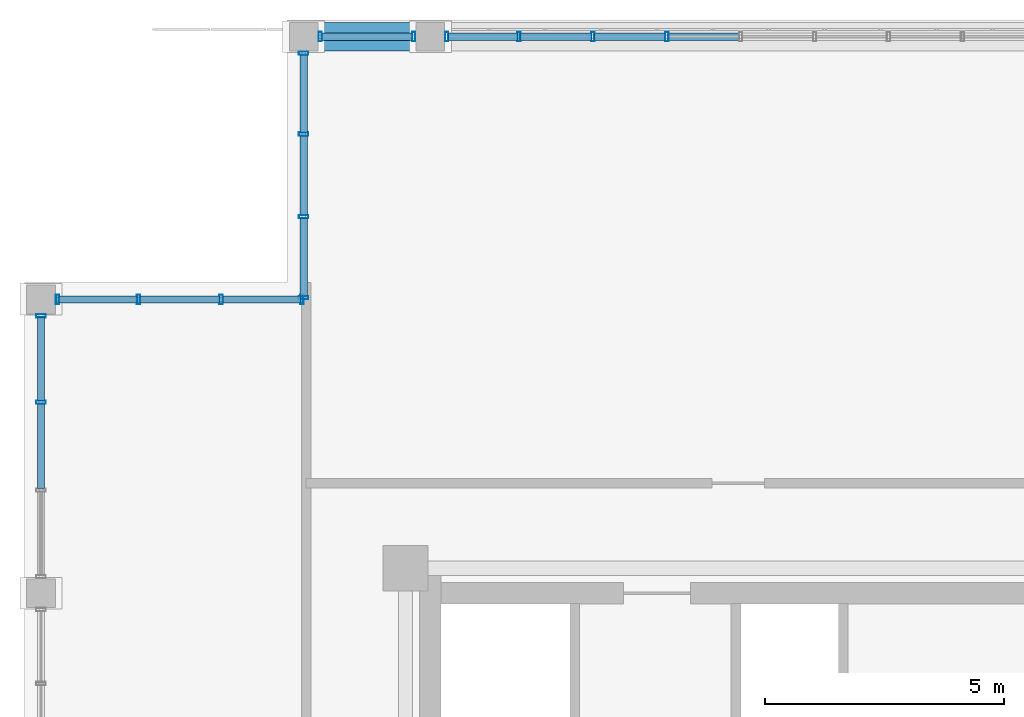
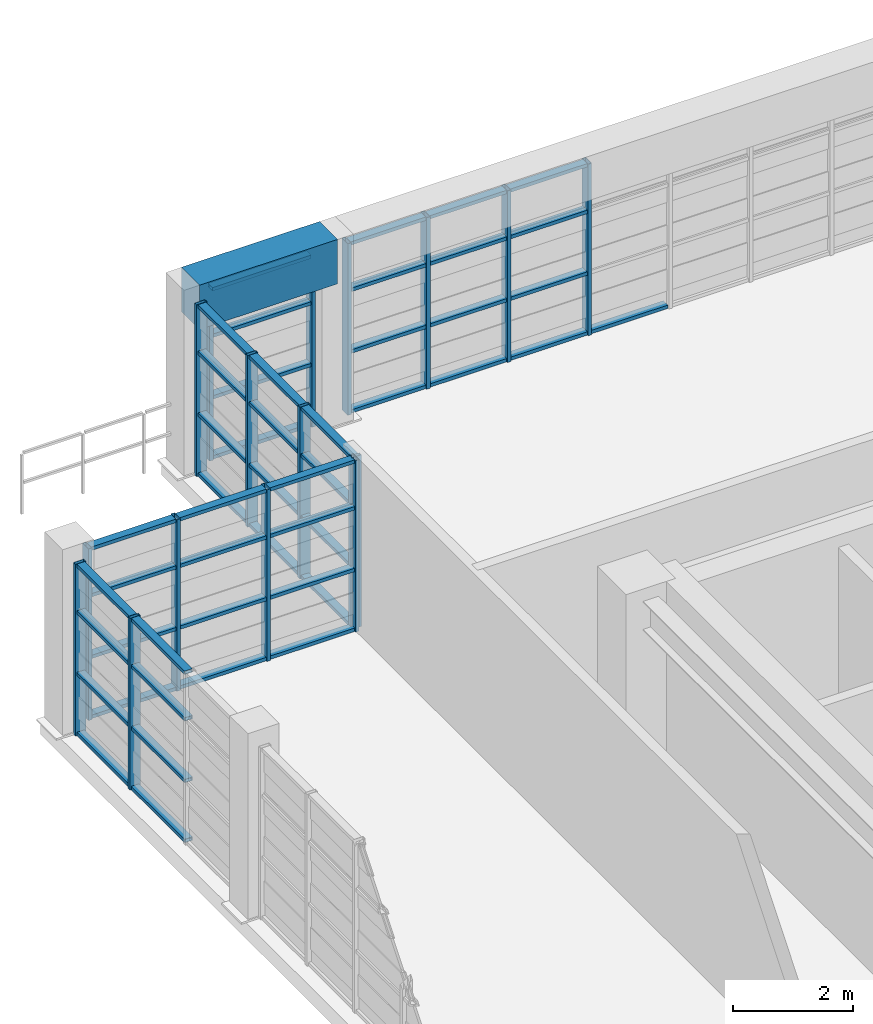
# One storey, part 13 of 24: 65 members, 1 beam, 5 elements without a shape of their own.
"""IFC4 building model written with IfcOpenShell, lengths in metres."""

from ifc_helpers import new_model, si_unit, direction, frame, origin, origin_2d, place, context, subcontext, project, spatial, rectangle, hollow_rectangle, extrude, source, transform, mapped, material, layer, layer_set, material_profile, profile_set, type_object, element, aggregate, save


model = new_model("IFC4")

# Units and contexts
model_context = context("Model", 3, precision=1e-05, world=origin(), true_north=direction((0.0, 1.0)))
body_context = subcontext(model_context, "Body", "Model", "MODEL_VIEW")
ifc_project = project(units=[si_unit("LENGTHUNIT", "METRE"), si_unit("AREAUNIT", "SQUARE_METRE"), si_unit("VOLUMEUNIT", "CUBIC_METRE"), si_unit("PLANEANGLEUNIT", "RADIAN"), si_unit("MASSUNIT", "GRAM", prefix="KILO")], contexts=[model_context])

# Site, building, storey
site_placement = place(None, origin())
site = spatial("IfcSite", under=ifc_project, at=site_placement, CompositionType="ELEMENT")
building_placement = place(site_placement, origin())
building = spatial("IfcBuilding", under=site, at=building_placement, Name="Saelheon Loggia Tower", CompositionType="ELEMENT")
storey_placement = place(building_placement, frame((0.0, 0.0, 252.199951171875)))
storey = spatial("IfcBuildingStorey", under=building, at=storey_placement, Name="CR1", CompositionType="ELEMENT", Elevation=252.199951171875)

# Beam
ifc_material_1 = material(Name="Precast Concrete C45/55", Category="concrete")
ifc_material_profile_1 = material_profile(ifc_material_1, rectangle(XDim=0.60009765625, YDim=0.89990234375, at=origin_2d()), Name="RC-600x900")
ifc_profile_set_1 = profile_set([ifc_material_profile_1], Name="Precast Concrete C45/55")
beam_type = type_object("IfcBeamType", Name="CrownFrame_Ring_RC600x900", PredefinedType="BEAM", material=ifc_profile_set_1)
shared_shape_1 = source(origin(), body_context, "Body", "SweptSolid", [
    extrude(rectangle(XDim=0.60009765625, YDim=0.89990234375, at=origin_2d()), origin(), (0.0, 0.0, 1.0), 2.64990234375),
])
beam_placement = place(storey_placement, frame((31.5, 47.64990234375, 3.35009765625), z_axis=(-1.0, 0.0, 0.0), x_axis=(0.0, -1.0, 0.0)))
element("IfcBeam", 1, at=beam_placement, inside=storey, type_object=beam_type, Name="CR1 CROWN FRAME Sill Beam 11", PredefinedType="BEAM", context=body_context, shape_type="MappedRepresentation", body=[
    mapped(shared_shape_1, transform((0.0, 0.0, 0.0), scale=1.0)),
])

# Curtain wall, members
ifc_material_2 = material(Name="Bronze-Anodised Aluminium and Fritted Ceramic Screen", Category="aluminium")
ifc_layer = layer(ifc_material_2, 0.219970703125)
ifc_layer_set = layer_set([ifc_layer], Name="Bronze-Anodised Aluminium and Fritted Ceramic Screen")
curtain_wall_type = type_object("IfcCurtainWallType", Name="CW_CrownScreen", PredefinedType="NOTDEFINED", material=ifc_layer_set)
curtain_wall_1_placement = place(storey_placement, origin())
curtain_wall_1 = element("IfcCurtainWall", 2, at=curtain_wall_1_placement, inside=storey, type_object=curtain_wall_type, Name="CR1 Crown Screen Curtain Wall 6-2", PredefinedType="NOTDEFINED")
ifc_material_3 = material(Name="Bronze-Anodised Aluminium 6063-T6", Category="aluminium")
ifc_material_profile_2 = material_profile(ifc_material_3, hollow_rectangle(XDim=0.070068359375, YDim=0.199951171875, WallThickness=0.0048828125, at=origin_2d()), Name="RHS-200x70x5")
ifc_profile_set_2 = profile_set([ifc_material_profile_2], Name="Bronze-Anodised Aluminium 6063-T6")
member_type_1 = type_object("IfcMemberType", Name="CW_CrownScreen_Mullion", PredefinedType="MULLION", material=ifc_profile_set_2)
shared_shape_2 = source(origin(), body_context, "Body", "SweptSolid", [
    extrude(hollow_rectangle(XDim=0.070068359375, YDim=0.199951171875, WallThickness=0.0048828125, at=origin_2d()), origin(), (0.0, 0.0, 1.0), 3.47998046875),
])
member_1_placement = place(storey_placement, frame((36.452392578125, 47.64990234375, 0.0), z_axis=(0.0, 0.0, 1.0), x_axis=(-1.0, 0.0, 0.0)))
member_1 = element("IfcMember", 3, at=member_1_placement, type_object=member_type_1, Name="CW6 mullion 6", PredefinedType="MULLION", context=body_context, shape_type="MappedRepresentation", body=[
    mapped(shared_shape_2, transform((0.0, 0.0, 0.0), scale=1.0)),
])
member_2_placement = place(storey_placement, frame((34.905029296875, 47.64990234375, 0.0), z_axis=(0.0, 0.0, 1.0), x_axis=(-1.0, 0.0, 0.0)))
member_2 = element("IfcMember", 4, at=member_2_placement, type_object=member_type_1, Name="CW6 mullion 7", PredefinedType="MULLION", context=body_context, shape_type="MappedRepresentation", body=[
    mapped(shared_shape_2, transform((0.0, 0.0, 0.0), scale=1.0)),
])
member_3_placement = place(storey_placement, frame((33.357421875, 47.64990234375, 0.0), z_axis=(0.0, 0.0, 1.0), x_axis=(-1.0, 0.0, 0.0)))
member_3 = element("IfcMember", 5, at=member_3_placement, type_object=member_type_1, Name="CW6 mullion 8", PredefinedType="MULLION", context=body_context, shape_type="MappedRepresentation", body=[
    mapped(shared_shape_2, transform((0.0, 0.0, 0.0), scale=1.0)),
])
member_4_placement = place(storey_placement, frame((31.844970703125, 47.64990234375, 0.0), z_axis=(0.0, 0.0, 1.0), x_axis=(-1.0, 0.0, 0.0)))
member_4 = element("IfcMember", 6, at=member_4_placement, type_object=member_type_1, Name="CW6 mullion 9", PredefinedType="MULLION", context=body_context, shape_type="MappedRepresentation", body=[
    mapped(shared_shape_2, transform((0.0, 0.0, 0.0), scale=1.0)),
])

curtain_wall_2_placement = place(storey_placement, origin())
curtain_wall_2 = element("IfcCurtainWall", 7, at=curtain_wall_2_placement, inside=storey, type_object=curtain_wall_type, Name="CR1 Crown Screen Curtain Wall 6-3", PredefinedType="NOTDEFINED")
member_5_placement = place(storey_placement, frame((31.155029296875, 47.64990234375, 0.0), z_axis=(0.0, 0.0, 1.0), x_axis=(-1.0, 0.0, 0.0)))
member_5 = element("IfcMember", 8, at=member_5_placement, type_object=member_type_1, Name="CW6 mullion 1", PredefinedType="MULLION", context=body_context, shape_type="MappedRepresentation", body=[
    mapped(shared_shape_2, transform((0.0, 0.0, 0.0), scale=1.0)),
])
member_6_placement = place(storey_placement, frame((29.195068359375, 47.64990234375, 0.0), z_axis=(0.0, 0.0, 1.0), x_axis=(-1.0, 0.0, 0.0)))
member_6 = element("IfcMember", 9, at=member_6_placement, type_object=member_type_1, Name="CW6 mullion 2", PredefinedType="MULLION", context=body_context, shape_type="MappedRepresentation", body=[
    mapped(shared_shape_2, transform((0.0, 0.0, 0.0), scale=1.0)),
])

curtain_wall_3_placement = place(storey_placement, origin())
curtain_wall_3 = element("IfcCurtainWall", 10, at=curtain_wall_3_placement, inside=storey, type_object=curtain_wall_type, Name="CR1 Crown Screen Curtain Wall 7-1", PredefinedType="NOTDEFINED")
member_7_placement = place(storey_placement, frame((28.85009765625, 47.304931640625, 0.0), z_axis=(0.0, 0.0, 1.0), x_axis=(0.0, -1.0, 0.0)))
member_7 = element("IfcMember", 11, at=member_7_placement, type_object=member_type_1, Name="CW6 mullion 1", PredefinedType="MULLION", context=body_context, shape_type="MappedRepresentation", body=[
    mapped(shared_shape_2, transform((0.0, 0.0, 0.0), scale=1.0)),
])
member_8_placement = place(storey_placement, frame((28.85009765625, 45.610107421875, 0.0), z_axis=(0.0, 0.0, 1.0), x_axis=(0.0, -1.0, 0.0)))
member_8 = element("IfcMember", 12, at=member_8_placement, type_object=member_type_1, Name="CW6 mullion 2", PredefinedType="MULLION", context=body_context, shape_type="MappedRepresentation", body=[
    mapped(shared_shape_2, transform((0.0, 0.0, 0.0), scale=1.0)),
])
member_9_placement = place(storey_placement, frame((28.85009765625, 43.8798828125, 0.0), z_axis=(0.0, 0.0, 1.0), x_axis=(0.0, -1.0, 0.0)))
member_9 = element("IfcMember", 13, at=member_9_placement, type_object=member_type_1, Name="CW6 mullion 3", PredefinedType="MULLION", context=body_context, shape_type="MappedRepresentation", body=[
    mapped(shared_shape_2, transform((0.0, 0.0, 0.0), scale=1.0)),
])
member_10_placement = place(storey_placement, frame((28.85009765625, 42.18505859375, 0.0), z_axis=(0.0, 0.0, 1.0), x_axis=(0.0, -1.0, 0.0)))
member_10 = element("IfcMember", 14, at=member_10_placement, type_object=member_type_1, Name="CW6 mullion 4", PredefinedType="MULLION", context=body_context, shape_type="MappedRepresentation", body=[
    mapped(shared_shape_2, transform((0.0, 0.0, 0.0), scale=1.0)),
])

curtain_wall_4_placement = place(storey_placement, origin())
curtain_wall_4 = element("IfcCurtainWall", 15, at=curtain_wall_4_placement, inside=storey, type_object=curtain_wall_type, Name="CR1 Crown Screen Curtain Wall 8-1", PredefinedType="NOTDEFINED")
member_11_placement = place(storey_placement, frame((28.81494140625, 42.14990234375, 0.0), z_axis=(0.0, 0.0, 1.0), x_axis=(-1.0, 0.0, 0.0)))
member_11 = element("IfcMember", 16, at=member_11_placement, type_object=member_type_1, Name="CW6 mullion 1", PredefinedType="MULLION", context=body_context, shape_type="MappedRepresentation", body=[
    mapped(shared_shape_2, transform((0.0, 0.0, 0.0), scale=1.0)),
])
member_12_placement = place(storey_placement, frame((27.1201171875, 42.14990234375, 0.0), z_axis=(0.0, 0.0, 1.0), x_axis=(-1.0, 0.0, 0.0)))
member_12 = element("IfcMember", 17, at=member_12_placement, type_object=member_type_1, Name="CW6 mullion 2", PredefinedType="MULLION", context=body_context, shape_type="MappedRepresentation", body=[
    mapped(shared_shape_2, transform((0.0, 0.0, 0.0), scale=1.0)),
])
member_13_placement = place(storey_placement, frame((25.389892578125, 42.14990234375, 0.0), z_axis=(0.0, 0.0, 1.0), x_axis=(-1.0, 0.0, 0.0)))
member_13 = element("IfcMember", 18, at=member_13_placement, type_object=member_type_1, Name="CW6 mullion 3", PredefinedType="MULLION", context=body_context, shape_type="MappedRepresentation", body=[
    mapped(shared_shape_2, transform((0.0, 0.0, 0.0), scale=1.0)),
])
member_14_placement = place(storey_placement, frame((23.695068359375, 42.14990234375, 0.0), z_axis=(0.0, 0.0, 1.0), x_axis=(-1.0, 0.0, 0.0)))
member_14 = element("IfcMember", 19, at=member_14_placement, type_object=member_type_1, Name="CW6 mullion 4", PredefinedType="MULLION", context=body_context, shape_type="MappedRepresentation", body=[
    mapped(shared_shape_2, transform((0.0, 0.0, 0.0), scale=1.0)),
])

curtain_wall_5_placement = place(storey_placement, origin())
curtain_wall_5 = element("IfcCurtainWall", 20, at=curtain_wall_5_placement, inside=storey, type_object=curtain_wall_type, Name="CR1 Crown Screen Curtain Wall 9-1", PredefinedType="NOTDEFINED")
member_15_placement = place(storey_placement, frame((23.35009765625, 41.804931640625, 0.0), z_axis=(0.0, 0.0, 1.0), x_axis=(0.0, -1.0, 0.0)))
member_15 = element("IfcMember", 21, at=member_15_placement, type_object=member_type_1, Name="CW6 mullion 1", PredefinedType="MULLION", context=body_context, shape_type="MappedRepresentation", body=[
    mapped(shared_shape_2, transform((0.0, 0.0, 0.0), scale=1.0)),
])
member_16_placement = place(storey_placement, frame((23.35009765625, 39.99658203125, 0.0), z_axis=(0.0, 0.0, 1.0), x_axis=(0.0, -1.0, 0.0)))
member_16 = element("IfcMember", 22, at=member_16_placement, type_object=member_type_1, Name="CW6 mullion 2", PredefinedType="MULLION", context=body_context, shape_type="MappedRepresentation", body=[
    mapped(shared_shape_2, transform((0.0, 0.0, 0.0), scale=1.0)),
])

# Member
ifc_material_profile_3 = material_profile(ifc_material_3, hollow_rectangle(XDim=0.070068359375, YDim=0.14990234375, WallThickness=0.0048828125, at=origin_2d()), Name="RHS-150x70x5")
ifc_profile_set_3 = profile_set([ifc_material_profile_3], Name="Bronze-Anodised Aluminium 6063-T6")
member_type_2 = type_object("IfcMemberType", Name="CW_CrownScreen_Transom", PredefinedType="USERDEFINED", material=ifc_profile_set_3)
shared_shape_3 = source(origin(), body_context, "Body", "SweptSolid", [
    extrude(hollow_rectangle(XDim=0.070068359375, YDim=0.14990234375, WallThickness=0.0048828125, at=origin_2d()), origin(), (0.0, 0.0, 1.0), 1.89013671875),
])
member_17_placement = place(storey_placement, frame((31.1201171875, 47.64990234375, 0.03515625), z_axis=(-1.0, 0.0, 0.0), x_axis=(0.0, 0.0, 1.0)))
member_17 = element("IfcMember", 23, at=member_17_placement, type_object=member_type_2, Name="CW6 transom 1.1", ObjectType="TRANSOM", PredefinedType="USERDEFINED", context=body_context, shape_type="MappedRepresentation", body=[
    mapped(shared_shape_3, transform((0.0, 0.0, 0.0), scale=1.0)),
])

member_18_placement = place(storey_placement, frame((31.1201171875, 47.64990234375, 1.25), z_axis=(-1.0, 0.0, 0.0), x_axis=(0.0, 0.0, 1.0)))
member_18 = element("IfcMember", 24, at=member_18_placement, type_object=member_type_2, Name="CW6 transom 1.2", ObjectType="TRANSOM", PredefinedType="USERDEFINED", context=body_context, shape_type="MappedRepresentation", body=[
    mapped(shared_shape_3, transform((0.0, 0.0, 0.0), scale=1.0)),
])

member_19_placement = place(storey_placement, frame((31.1201171875, 47.64990234375, 2.5), z_axis=(-1.0, 0.0, 0.0), x_axis=(0.0, 0.0, 1.0)))
member_19 = element("IfcMember", 25, at=member_19_placement, type_object=member_type_2, Name="CW6 transom 1.3", ObjectType="TRANSOM", PredefinedType="USERDEFINED", context=body_context, shape_type="MappedRepresentation", body=[
    mapped(shared_shape_3, transform((0.0, 0.0, 0.0), scale=1.0)),
])

member_20_placement = place(storey_placement, frame((31.1201171875, 47.64990234375, 3.445068359375), z_axis=(-1.0, 0.0, 0.0), x_axis=(0.0, 0.0, 1.0)))
member_20 = element("IfcMember", 26, at=member_20_placement, type_object=member_type_2, Name="CW6 transom 1.4", ObjectType="TRANSOM", PredefinedType="USERDEFINED", context=body_context, shape_type="MappedRepresentation", body=[
    mapped(shared_shape_3, transform((0.0, 0.0, 0.0), scale=1.0)),
])

aggregate(curtain_wall_2, [member_5, member_6, member_17, member_18, member_19, member_20])

shared_shape_4 = source(origin(), body_context, "Body", "SweptSolid", [
    extrude(hollow_rectangle(XDim=0.070068359375, YDim=0.14990234375, WallThickness=0.0048828125, at=origin_2d()), origin(), (0.0, 0.0, 1.0), 1.442626953125),
])
member_21_placement = place(storey_placement, frame((33.322509765625, 47.64990234375, 0.03515625), z_axis=(-1.0, 0.0, 0.0), x_axis=(0.0, 0.0, 1.0)))
member_21 = element("IfcMember", 27, at=member_21_placement, type_object=member_type_2, Name="CW6 transom 8.1", ObjectType="TRANSOM", PredefinedType="USERDEFINED", context=body_context, shape_type="MappedRepresentation", body=[
    mapped(shared_shape_4, transform((0.0, 0.0, 0.0), scale=1.0)),
])

member_22_placement = place(storey_placement, frame((33.322509765625, 47.64990234375, 1.25), z_axis=(-1.0, 0.0, 0.0), x_axis=(0.0, 0.0, 1.0)))
member_22 = element("IfcMember", 28, at=member_22_placement, type_object=member_type_2, Name="CW6 transom 8.2", ObjectType="TRANSOM", PredefinedType="USERDEFINED", context=body_context, shape_type="MappedRepresentation", body=[
    mapped(shared_shape_4, transform((0.0, 0.0, 0.0), scale=1.0)),
])

member_23_placement = place(storey_placement, frame((33.322509765625, 47.64990234375, 2.5), z_axis=(-1.0, 0.0, 0.0), x_axis=(0.0, 0.0, 1.0)))
member_23 = element("IfcMember", 29, at=member_23_placement, type_object=member_type_2, Name="CW6 transom 8.3", ObjectType="TRANSOM", PredefinedType="USERDEFINED", context=body_context, shape_type="MappedRepresentation", body=[
    mapped(shared_shape_4, transform((0.0, 0.0, 0.0), scale=1.0)),
])

member_24_placement = place(storey_placement, frame((33.322509765625, 47.64990234375, 3.445068359375), z_axis=(-1.0, 0.0, 0.0), x_axis=(0.0, 0.0, 1.0)))
member_24 = element("IfcMember", 30, at=member_24_placement, type_object=member_type_2, Name="CW6 transom 8.4", ObjectType="TRANSOM", PredefinedType="USERDEFINED", context=body_context, shape_type="MappedRepresentation", body=[
    mapped(shared_shape_4, transform((0.0, 0.0, 0.0), scale=1.0)),
])

shared_shape_5 = source(origin(), body_context, "Body", "SweptSolid", [
    extrude(hollow_rectangle(XDim=0.070068359375, YDim=0.14990234375, WallThickness=0.0048828125, at=origin_2d()), origin(), (0.0, 0.0, 1.0), 1.4775390625),
])
member_25_placement = place(storey_placement, frame((37.965087890625, 47.64990234375, 0.03515625), z_axis=(-1.0, 0.0, 0.0), x_axis=(0.0, 0.0, 1.0)))
member_25 = element("IfcMember", 31, at=member_25_placement, type_object=member_type_2, Name="CW6 transom 5.1", ObjectType="TRANSOM", PredefinedType="USERDEFINED", context=body_context, shape_type="MappedRepresentation", body=[
    mapped(shared_shape_5, transform((0.0, 0.0, 0.0), scale=1.0)),
])

member_26_placement = place(storey_placement, frame((36.41748046875, 47.64990234375, 0.03515625), z_axis=(-1.0, 0.0, 0.0), x_axis=(0.0, 0.0, 1.0)))
member_26 = element("IfcMember", 32, at=member_26_placement, type_object=member_type_2, Name="CW6 transom 6.1", ObjectType="TRANSOM", PredefinedType="USERDEFINED", context=body_context, shape_type="MappedRepresentation", body=[
    mapped(shared_shape_5, transform((0.0, 0.0, 0.0), scale=1.0)),
])

member_27_placement = place(storey_placement, frame((36.41748046875, 47.64990234375, 1.25), z_axis=(-1.0, 0.0, 0.0), x_axis=(0.0, 0.0, 1.0)))
member_27 = element("IfcMember", 33, at=member_27_placement, type_object=member_type_2, Name="CW6 transom 6.2", ObjectType="TRANSOM", PredefinedType="USERDEFINED", context=body_context, shape_type="MappedRepresentation", body=[
    mapped(shared_shape_5, transform((0.0, 0.0, 0.0), scale=1.0)),
])

member_28_placement = place(storey_placement, frame((36.41748046875, 47.64990234375, 2.5), z_axis=(-1.0, 0.0, 0.0), x_axis=(0.0, 0.0, 1.0)))
member_28 = element("IfcMember", 34, at=member_28_placement, type_object=member_type_2, Name="CW6 transom 6.3", ObjectType="TRANSOM", PredefinedType="USERDEFINED", context=body_context, shape_type="MappedRepresentation", body=[
    mapped(shared_shape_5, transform((0.0, 0.0, 0.0), scale=1.0)),
])

member_29_placement = place(storey_placement, frame((36.41748046875, 47.64990234375, 3.445068359375), z_axis=(-1.0, 0.0, 0.0), x_axis=(0.0, 0.0, 1.0)))
member_29 = element("IfcMember", 35, at=member_29_placement, type_object=member_type_2, Name="CW6 transom 6.4", ObjectType="TRANSOM", PredefinedType="USERDEFINED", context=body_context, shape_type="MappedRepresentation", body=[
    mapped(shared_shape_5, transform((0.0, 0.0, 0.0), scale=1.0)),
])

member_30_placement = place(storey_placement, frame((34.8701171875, 47.64990234375, 0.03515625), z_axis=(-1.0, 0.0, 0.0), x_axis=(0.0, 0.0, 1.0)))
member_30 = element("IfcMember", 36, at=member_30_placement, type_object=member_type_2, Name="CW6 transom 7.1", ObjectType="TRANSOM", PredefinedType="USERDEFINED", context=body_context, shape_type="MappedRepresentation", body=[
    mapped(shared_shape_5, transform((0.0, 0.0, 0.0), scale=1.0)),
])

member_31_placement = place(storey_placement, frame((34.8701171875, 47.64990234375, 1.25), z_axis=(-1.0, 0.0, 0.0), x_axis=(0.0, 0.0, 1.0)))
member_31 = element("IfcMember", 37, at=member_31_placement, type_object=member_type_2, Name="CW6 transom 7.2", ObjectType="TRANSOM", PredefinedType="USERDEFINED", context=body_context, shape_type="MappedRepresentation", body=[
    mapped(shared_shape_5, transform((0.0, 0.0, 0.0), scale=1.0)),
])

member_32_placement = place(storey_placement, frame((34.8701171875, 47.64990234375, 2.5), z_axis=(-1.0, 0.0, 0.0), x_axis=(0.0, 0.0, 1.0)))
member_32 = element("IfcMember", 38, at=member_32_placement, type_object=member_type_2, Name="CW6 transom 7.3", ObjectType="TRANSOM", PredefinedType="USERDEFINED", context=body_context, shape_type="MappedRepresentation", body=[
    mapped(shared_shape_5, transform((0.0, 0.0, 0.0), scale=1.0)),
])

member_33_placement = place(storey_placement, frame((34.8701171875, 47.64990234375, 3.445068359375), z_axis=(-1.0, 0.0, 0.0), x_axis=(0.0, 0.0, 1.0)))
member_33 = element("IfcMember", 39, at=member_33_placement, type_object=member_type_2, Name="CW6 transom 7.4", ObjectType="TRANSOM", PredefinedType="USERDEFINED", context=body_context, shape_type="MappedRepresentation", body=[
    mapped(shared_shape_5, transform((0.0, 0.0, 0.0), scale=1.0)),
])

aggregate(curtain_wall_1, [member_1, member_2, member_3, member_4, member_25, member_26, member_27, member_28, member_29, member_30, member_31, member_32, member_33, member_21, member_22, member_23, member_24])

shared_shape_6 = source(origin(), body_context, "Body", "SweptSolid", [
    extrude(hollow_rectangle(XDim=0.070068359375, YDim=0.14990234375, WallThickness=0.0048828125, at=origin_2d()), origin(), (0.0, 0.0, 1.0), 1.625),
])
member_34_placement = place(storey_placement, frame((28.85009765625, 47.27001953125, 0.03515625), z_axis=(0.0, -1.0, 0.0), x_axis=(0.0, 0.0, 1.0)))
member_34 = element("IfcMember", 40, at=member_34_placement, type_object=member_type_2, Name="CW6 transom 1.1", ObjectType="TRANSOM", PredefinedType="USERDEFINED", context=body_context, shape_type="MappedRepresentation", body=[
    mapped(shared_shape_6, transform((0.0, 0.0, 0.0), scale=1.0)),
])

member_35_placement = place(storey_placement, frame((28.85009765625, 47.27001953125, 1.25), z_axis=(0.0, -1.0, 0.0), x_axis=(0.0, 0.0, 1.0)))
member_35 = element("IfcMember", 41, at=member_35_placement, type_object=member_type_2, Name="CW6 transom 1.2", ObjectType="TRANSOM", PredefinedType="USERDEFINED", context=body_context, shape_type="MappedRepresentation", body=[
    mapped(shared_shape_6, transform((0.0, 0.0, 0.0), scale=1.0)),
])

member_36_placement = place(storey_placement, frame((28.85009765625, 47.27001953125, 2.5), z_axis=(0.0, -1.0, 0.0), x_axis=(0.0, 0.0, 1.0)))
member_36 = element("IfcMember", 42, at=member_36_placement, type_object=member_type_2, Name="CW6 transom 1.3", ObjectType="TRANSOM", PredefinedType="USERDEFINED", context=body_context, shape_type="MappedRepresentation", body=[
    mapped(shared_shape_6, transform((0.0, 0.0, 0.0), scale=1.0)),
])

member_37_placement = place(storey_placement, frame((28.85009765625, 47.27001953125, 3.445068359375), z_axis=(0.0, -1.0, 0.0), x_axis=(0.0, 0.0, 1.0)))
member_37 = element("IfcMember", 43, at=member_37_placement, type_object=member_type_2, Name="CW6 transom 1.4", ObjectType="TRANSOM", PredefinedType="USERDEFINED", context=body_context, shape_type="MappedRepresentation", body=[
    mapped(shared_shape_6, transform((0.0, 0.0, 0.0), scale=1.0)),
])

member_38_placement = place(storey_placement, frame((28.85009765625, 43.844970703125, 0.03515625), z_axis=(0.0, -1.0, 0.0), x_axis=(0.0, 0.0, 1.0)))
member_38 = element("IfcMember", 44, at=member_38_placement, type_object=member_type_2, Name="CW6 transom 3.1", ObjectType="TRANSOM", PredefinedType="USERDEFINED", context=body_context, shape_type="MappedRepresentation", body=[
    mapped(shared_shape_6, transform((0.0, 0.0, 0.0), scale=1.0)),
])

member_39_placement = place(storey_placement, frame((28.85009765625, 43.844970703125, 1.25), z_axis=(0.0, -1.0, 0.0), x_axis=(0.0, 0.0, 1.0)))
member_39 = element("IfcMember", 45, at=member_39_placement, type_object=member_type_2, Name="CW6 transom 3.2", ObjectType="TRANSOM", PredefinedType="USERDEFINED", context=body_context, shape_type="MappedRepresentation", body=[
    mapped(shared_shape_6, transform((0.0, 0.0, 0.0), scale=1.0)),
])

member_40_placement = place(storey_placement, frame((28.85009765625, 43.844970703125, 2.5), z_axis=(0.0, -1.0, 0.0), x_axis=(0.0, 0.0, 1.0)))
member_40 = element("IfcMember", 46, at=member_40_placement, type_object=member_type_2, Name="CW6 transom 3.3", ObjectType="TRANSOM", PredefinedType="USERDEFINED", context=body_context, shape_type="MappedRepresentation", body=[
    mapped(shared_shape_6, transform((0.0, 0.0, 0.0), scale=1.0)),
])

member_41_placement = place(storey_placement, frame((28.85009765625, 43.844970703125, 3.445068359375), z_axis=(0.0, -1.0, 0.0), x_axis=(0.0, 0.0, 1.0)))
member_41 = element("IfcMember", 47, at=member_41_placement, type_object=member_type_2, Name="CW6 transom 3.4", ObjectType="TRANSOM", PredefinedType="USERDEFINED", context=body_context, shape_type="MappedRepresentation", body=[
    mapped(shared_shape_6, transform((0.0, 0.0, 0.0), scale=1.0)),
])

member_42_placement = place(storey_placement, frame((28.780029296875, 42.14990234375, 0.03515625), z_axis=(-1.0, 0.0, 0.0), x_axis=(0.0, 0.0, 1.0)))
member_42 = element("IfcMember", 48, at=member_42_placement, type_object=member_type_2, Name="CW6 transom 1.1", ObjectType="TRANSOM", PredefinedType="USERDEFINED", context=body_context, shape_type="MappedRepresentation", body=[
    mapped(shared_shape_6, transform((0.0, 0.0, 0.0), scale=1.0)),
])

member_43_placement = place(storey_placement, frame((28.780029296875, 42.14990234375, 1.25), z_axis=(-1.0, 0.0, 0.0), x_axis=(0.0, 0.0, 1.0)))
member_43 = element("IfcMember", 49, at=member_43_placement, type_object=member_type_2, Name="CW6 transom 1.2", ObjectType="TRANSOM", PredefinedType="USERDEFINED", context=body_context, shape_type="MappedRepresentation", body=[
    mapped(shared_shape_6, transform((0.0, 0.0, 0.0), scale=1.0)),
])

member_44_placement = place(storey_placement, frame((28.780029296875, 42.14990234375, 2.5), z_axis=(-1.0, 0.0, 0.0), x_axis=(0.0, 0.0, 1.0)))
member_44 = element("IfcMember", 50, at=member_44_placement, type_object=member_type_2, Name="CW6 transom 1.3", ObjectType="TRANSOM", PredefinedType="USERDEFINED", context=body_context, shape_type="MappedRepresentation", body=[
    mapped(shared_shape_6, transform((0.0, 0.0, 0.0), scale=1.0)),
])

member_45_placement = place(storey_placement, frame((28.780029296875, 42.14990234375, 3.445068359375), z_axis=(-1.0, 0.0, 0.0), x_axis=(0.0, 0.0, 1.0)))
member_45 = element("IfcMember", 51, at=member_45_placement, type_object=member_type_2, Name="CW6 transom 1.4", ObjectType="TRANSOM", PredefinedType="USERDEFINED", context=body_context, shape_type="MappedRepresentation", body=[
    mapped(shared_shape_6, transform((0.0, 0.0, 0.0), scale=1.0)),
])

member_46_placement = place(storey_placement, frame((25.35498046875, 42.14990234375, 0.03515625), z_axis=(-1.0, 0.0, 0.0), x_axis=(0.0, 0.0, 1.0)))
member_46 = element("IfcMember", 52, at=member_46_placement, type_object=member_type_2, Name="CW6 transom 3.1", ObjectType="TRANSOM", PredefinedType="USERDEFINED", context=body_context, shape_type="MappedRepresentation", body=[
    mapped(shared_shape_6, transform((0.0, 0.0, 0.0), scale=1.0)),
])

member_47_placement = place(storey_placement, frame((25.35498046875, 42.14990234375, 1.25), z_axis=(-1.0, 0.0, 0.0), x_axis=(0.0, 0.0, 1.0)))
member_47 = element("IfcMember", 53, at=member_47_placement, type_object=member_type_2, Name="CW6 transom 3.2", ObjectType="TRANSOM", PredefinedType="USERDEFINED", context=body_context, shape_type="MappedRepresentation", body=[
    mapped(shared_shape_6, transform((0.0, 0.0, 0.0), scale=1.0)),
])

member_48_placement = place(storey_placement, frame((25.35498046875, 42.14990234375, 2.5), z_axis=(-1.0, 0.0, 0.0), x_axis=(0.0, 0.0, 1.0)))
member_48 = element("IfcMember", 54, at=member_48_placement, type_object=member_type_2, Name="CW6 transom 3.3", ObjectType="TRANSOM", PredefinedType="USERDEFINED", context=body_context, shape_type="MappedRepresentation", body=[
    mapped(shared_shape_6, transform((0.0, 0.0, 0.0), scale=1.0)),
])

member_49_placement = place(storey_placement, frame((25.35498046875, 42.14990234375, 3.445068359375), z_axis=(-1.0, 0.0, 0.0), x_axis=(0.0, 0.0, 1.0)))
member_49 = element("IfcMember", 55, at=member_49_placement, type_object=member_type_2, Name="CW6 transom 3.4", ObjectType="TRANSOM", PredefinedType="USERDEFINED", context=body_context, shape_type="MappedRepresentation", body=[
    mapped(shared_shape_6, transform((0.0, 0.0, 0.0), scale=1.0)),
])

shared_shape_7 = source(origin(), body_context, "Body", "SweptSolid", [
    extrude(hollow_rectangle(XDim=0.070068359375, YDim=0.14990234375, WallThickness=0.0048828125, at=origin_2d()), origin(), (0.0, 0.0, 1.0), 1.659912109375),
])
member_50_placement = place(storey_placement, frame((28.85009765625, 45.574951171875, 0.03515625), z_axis=(0.0, -1.0, 0.0), x_axis=(0.0, 0.0, 1.0)))
member_50 = element("IfcMember", 56, at=member_50_placement, type_object=member_type_2, Name="CW6 transom 2.1", ObjectType="TRANSOM", PredefinedType="USERDEFINED", context=body_context, shape_type="MappedRepresentation", body=[
    mapped(shared_shape_7, transform((0.0, 0.0, 0.0), scale=1.0)),
])

member_51_placement = place(storey_placement, frame((28.85009765625, 45.574951171875, 1.25), z_axis=(0.0, -1.0, 0.0), x_axis=(0.0, 0.0, 1.0)))
member_51 = element("IfcMember", 57, at=member_51_placement, type_object=member_type_2, Name="CW6 transom 2.2", ObjectType="TRANSOM", PredefinedType="USERDEFINED", context=body_context, shape_type="MappedRepresentation", body=[
    mapped(shared_shape_7, transform((0.0, 0.0, 0.0), scale=1.0)),
])

member_52_placement = place(storey_placement, frame((28.85009765625, 45.574951171875, 2.5), z_axis=(0.0, -1.0, 0.0), x_axis=(0.0, 0.0, 1.0)))
member_52 = element("IfcMember", 58, at=member_52_placement, type_object=member_type_2, Name="CW6 transom 2.3", ObjectType="TRANSOM", PredefinedType="USERDEFINED", context=body_context, shape_type="MappedRepresentation", body=[
    mapped(shared_shape_7, transform((0.0, 0.0, 0.0), scale=1.0)),
])

member_53_placement = place(storey_placement, frame((28.85009765625, 45.574951171875, 3.445068359375), z_axis=(0.0, -1.0, 0.0), x_axis=(0.0, 0.0, 1.0)))
member_53 = element("IfcMember", 59, at=member_53_placement, type_object=member_type_2, Name="CW6 transom 2.4", ObjectType="TRANSOM", PredefinedType="USERDEFINED", context=body_context, shape_type="MappedRepresentation", body=[
    mapped(shared_shape_7, transform((0.0, 0.0, 0.0), scale=1.0)),
])

aggregate(curtain_wall_3, [member_7, member_8, member_9, member_10, member_34, member_35, member_36, member_37, member_50, member_51, member_52, member_53, member_38, member_39, member_40, member_41])

member_54_placement = place(storey_placement, frame((27.0849609375, 42.14990234375, 0.03515625), z_axis=(-1.0, 0.0, 0.0), x_axis=(0.0, 0.0, 1.0)))
member_54 = element("IfcMember", 60, at=member_54_placement, type_object=member_type_2, Name="CW6 transom 2.1", ObjectType="TRANSOM", PredefinedType="USERDEFINED", context=body_context, shape_type="MappedRepresentation", body=[
    mapped(shared_shape_7, transform((0.0, 0.0, 0.0), scale=1.0)),
])

member_55_placement = place(storey_placement, frame((27.0849609375, 42.14990234375, 1.25), z_axis=(-1.0, 0.0, 0.0), x_axis=(0.0, 0.0, 1.0)))
member_55 = element("IfcMember", 61, at=member_55_placement, type_object=member_type_2, Name="CW6 transom 2.2", ObjectType="TRANSOM", PredefinedType="USERDEFINED", context=body_context, shape_type="MappedRepresentation", body=[
    mapped(shared_shape_7, transform((0.0, 0.0, 0.0), scale=1.0)),
])

member_56_placement = place(storey_placement, frame((27.0849609375, 42.14990234375, 2.5), z_axis=(-1.0, 0.0, 0.0), x_axis=(0.0, 0.0, 1.0)))
member_56 = element("IfcMember", 62, at=member_56_placement, type_object=member_type_2, Name="CW6 transom 2.3", ObjectType="TRANSOM", PredefinedType="USERDEFINED", context=body_context, shape_type="MappedRepresentation", body=[
    mapped(shared_shape_7, transform((0.0, 0.0, 0.0), scale=1.0)),
])

member_57_placement = place(storey_placement, frame((27.0849609375, 42.14990234375, 3.445068359375), z_axis=(-1.0, 0.0, 0.0), x_axis=(0.0, 0.0, 1.0)))
member_57 = element("IfcMember", 63, at=member_57_placement, type_object=member_type_2, Name="CW6 transom 2.4", ObjectType="TRANSOM", PredefinedType="USERDEFINED", context=body_context, shape_type="MappedRepresentation", body=[
    mapped(shared_shape_7, transform((0.0, 0.0, 0.0), scale=1.0)),
])

aggregate(curtain_wall_4, [member_11, member_12, member_13, member_14, member_42, member_43, member_44, member_45, member_54, member_55, member_56, member_57, member_46, member_47, member_48, member_49])

shared_shape_8 = source(origin(), body_context, "Body", "SweptSolid", [
    extrude(hollow_rectangle(XDim=0.070068359375, YDim=0.14990234375, WallThickness=0.0048828125, at=origin_2d()), origin(), (0.0, 0.0, 1.0), 1.73828125),
])
member_58_placement = place(storey_placement, frame((23.35009765625, 41.77001953125, 0.03515625), z_axis=(0.0, -1.0, 0.0), x_axis=(0.0, 0.0, 1.0)))
member_58 = element("IfcMember", 64, at=member_58_placement, type_object=member_type_2, Name="CW6 transom 1.1", ObjectType="TRANSOM", PredefinedType="USERDEFINED", context=body_context, shape_type="MappedRepresentation", body=[
    mapped(shared_shape_8, transform((0.0, 0.0, 0.0), scale=1.0)),
])

member_59_placement = place(storey_placement, frame((23.35009765625, 41.77001953125, 1.25), z_axis=(0.0, -1.0, 0.0), x_axis=(0.0, 0.0, 1.0)))
member_59 = element("IfcMember", 65, at=member_59_placement, type_object=member_type_2, Name="CW6 transom 1.2", ObjectType="TRANSOM", PredefinedType="USERDEFINED", context=body_context, shape_type="MappedRepresentation", body=[
    mapped(shared_shape_8, transform((0.0, 0.0, 0.0), scale=1.0)),
])

member_60_placement = place(storey_placement, frame((23.35009765625, 41.77001953125, 2.5), z_axis=(0.0, -1.0, 0.0), x_axis=(0.0, 0.0, 1.0)))
member_60 = element("IfcMember", 66, at=member_60_placement, type_object=member_type_2, Name="CW6 transom 1.3", ObjectType="TRANSOM", PredefinedType="USERDEFINED", context=body_context, shape_type="MappedRepresentation", body=[
    mapped(shared_shape_8, transform((0.0, 0.0, 0.0), scale=1.0)),
])

member_61_placement = place(storey_placement, frame((23.35009765625, 41.77001953125, 3.445068359375), z_axis=(0.0, -1.0, 0.0), x_axis=(0.0, 0.0, 1.0)))
member_61 = element("IfcMember", 67, at=member_61_placement, type_object=member_type_2, Name="CW6 transom 1.4", ObjectType="TRANSOM", PredefinedType="USERDEFINED", context=body_context, shape_type="MappedRepresentation", body=[
    mapped(shared_shape_8, transform((0.0, 0.0, 0.0), scale=1.0)),
])

shared_shape_9 = source(origin(), body_context, "Body", "SweptSolid", [
    extrude(hollow_rectangle(XDim=0.070068359375, YDim=0.14990234375, WallThickness=0.0048828125, at=origin_2d()), origin(), (0.0, 0.0, 1.0), 1.7734375),
])
member_62_placement = place(storey_placement, frame((23.35009765625, 39.961669921875, 0.03515625), z_axis=(0.0, -1.0, 0.0), x_axis=(0.0, 0.0, 1.0)))
member_62 = element("IfcMember", 68, at=member_62_placement, type_object=member_type_2, Name="CW6 transom 2.1", ObjectType="TRANSOM", PredefinedType="USERDEFINED", context=body_context, shape_type="MappedRepresentation", body=[
    mapped(shared_shape_9, transform((0.0, 0.0, 0.0), scale=1.0)),
])

member_63_placement = place(storey_placement, frame((23.35009765625, 39.961669921875, 1.25), z_axis=(0.0, -1.0, 0.0), x_axis=(0.0, 0.0, 1.0)))
member_63 = element("IfcMember", 69, at=member_63_placement, type_object=member_type_2, Name="CW6 transom 2.2", ObjectType="TRANSOM", PredefinedType="USERDEFINED", context=body_context, shape_type="MappedRepresentation", body=[
    mapped(shared_shape_9, transform((0.0, 0.0, 0.0), scale=1.0)),
])

member_64_placement = place(storey_placement, frame((23.35009765625, 39.961669921875, 2.5), z_axis=(0.0, -1.0, 0.0), x_axis=(0.0, 0.0, 1.0)))
member_64 = element("IfcMember", 70, at=member_64_placement, type_object=member_type_2, Name="CW6 transom 2.3", ObjectType="TRANSOM", PredefinedType="USERDEFINED", context=body_context, shape_type="MappedRepresentation", body=[
    mapped(shared_shape_9, transform((0.0, 0.0, 0.0), scale=1.0)),
])

member_65_placement = place(storey_placement, frame((23.35009765625, 39.961669921875, 3.445068359375), z_axis=(0.0, -1.0, 0.0), x_axis=(0.0, 0.0, 1.0)))
member_65 = element("IfcMember", 71, at=member_65_placement, type_object=member_type_2, Name="CW6 transom 2.4", ObjectType="TRANSOM", PredefinedType="USERDEFINED", context=body_context, shape_type="MappedRepresentation", body=[
    mapped(shared_shape_9, transform((0.0, 0.0, 0.0), scale=1.0)),
])

aggregate(curtain_wall_5, [member_15, member_16, member_58, member_59, member_60, member_61, member_62, member_63, member_64, member_65])

save(model, "model.ifc")
